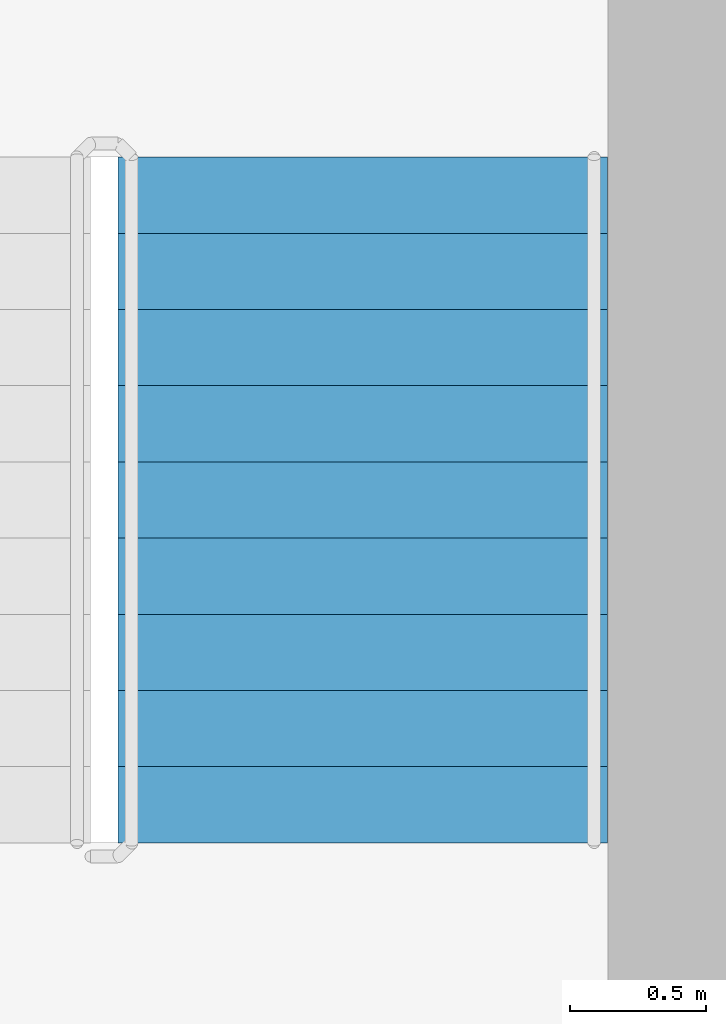
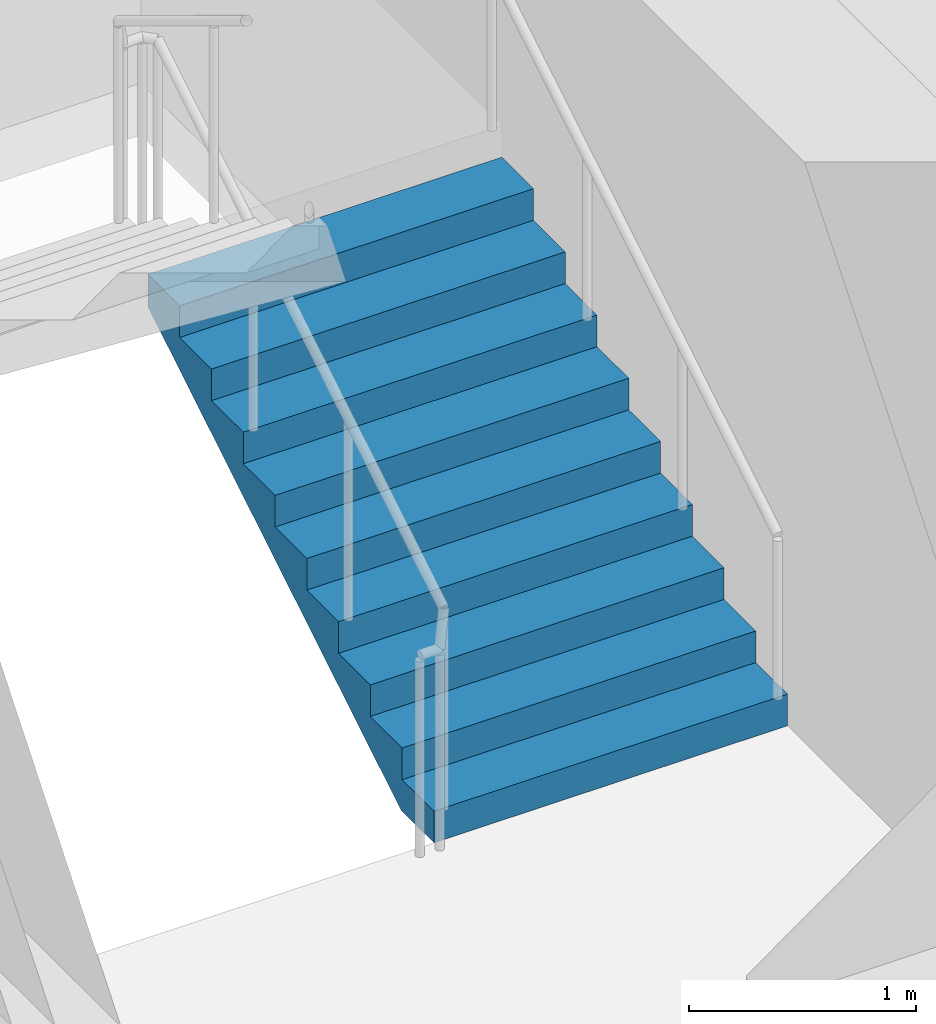
# One storey, part 12 of 21: 1 stair flight, 1 element without a shape of its own.
"""IFC4 building model written with IfcOpenShell, lengths in metres."""

from ifc_helpers import new_model, si_unit, direction, frame, origin, place, context, subcontext, project, spatial, triangles, source, transform, mapped, material, type_object, element, aggregate, save


model = new_model("IFC4")

# Units and contexts
model_context = context("Model", 3, precision=1e-05, world=origin(), true_north=direction((0.0, 1.0)))
body_context = subcontext(model_context, "Body", "Model", "MODEL_VIEW")
ifc_project = project(units=[si_unit("LENGTHUNIT", "METRE"), si_unit("AREAUNIT", "SQUARE_METRE"), si_unit("VOLUMEUNIT", "CUBIC_METRE"), si_unit("PLANEANGLEUNIT", "RADIAN"), si_unit("MASSUNIT", "GRAM", prefix="KILO")], contexts=[model_context])

# Site, building, storey
site_placement = place(None, origin())
site = spatial("IfcSite", under=ifc_project, at=site_placement, CompositionType="ELEMENT")
building_placement = place(site_placement, origin())
building = spatial("IfcBuilding", under=site, at=building_placement, Name="Kilnfold Tower and Market Hall", CompositionType="ELEMENT")
storey_placement = place(building_placement, frame((0.0, 0.0, 216.89990234375)))
storey = spatial("IfcBuildingStorey", under=building, at=storey_placement, Name="L53", CompositionType="ELEMENT", Elevation=216.89990234375)

# Stair, stair flight
ifc_material_1 = material(Name="Concrete C40/50", Category="concrete")
stair_type = type_object("IfcStairType", Name="CORE STAIR 1800", PredefinedType="HALF_TURN_STAIR", material=ifc_material_1)
stair_placement = place(storey_placement, origin())
stair = element("IfcStair", 1, at=stair_placement, inside=storey, type_object=stair_type, Name="L53 ST2", PredefinedType="HALF_TURN_STAIR")
ifc_material_2 = material(Name="Concrete C40/50", Category="concrete")
stair_flight_type = type_object("IfcStairFlightType", Name="CORE STAIR FLIGHT 1800", PredefinedType="STRAIGHT", material=ifc_material_2)
shared_shape = source(origin(), body_context, "Body", "Tessellation", [
    triangles([(0.0, 0.89990234375, 0.0), (0.0, 0.78759765625, 0.0), (0.0, 0.675048828125, 0.0), (0.0, 0.5625, 0.0), (0.0, 0.449951171875, 0.0), (0.0, 0.33740234375, 0.0), (0.0, 0.22509765625, 0.0), (0.0, 0.112548828125, 0.0), (0.0, 0.0, 0.0), (0.0, -0.112548828125, 0.0), (0.0, -0.22509765625, 0.0), (0.0, -0.33740234375, 0.0), (0.0, -0.449951171875, 0.0), (0.0, -0.5625, 0.0), (0.0, -0.675048828125, 0.0), (0.0, -0.78759765625, 0.0), (0.0, -0.89990234375, 0.0), (0.0, 0.89990234375, 0.169921875), (0.0, 0.78759765625, 0.169921875), (0.0, 0.675048828125, 0.169921875), (0.0, 0.5625, 0.169921875), (0.0, 0.449951171875, 0.169921875), (0.0, 0.33740234375, 0.169921875), (0.0, 0.22509765625, 0.169921875), (0.0, 0.112548828125, 0.169921875), (0.0, 0.0, 0.169921875), (0.0, -0.112548828125, 0.169921875), (0.0, -0.22509765625, 0.169921875), (0.0, -0.33740234375, 0.169921875), (0.0, -0.449951171875, 0.169921875), (0.0, -0.5625, 0.169921875), (0.0, -0.675048828125, 0.169921875), (0.0, -0.78759765625, 0.169921875), (0.0, -0.89990234375, 0.169921875), (0.280029296875, 0.89990234375, 0.169921875), (0.280029296875, 0.78759765625, 0.169921875), (0.280029296875, 0.675048828125, 0.169921875), (0.280029296875, 0.5625, 0.169921875), (0.280029296875, 0.449951171875, 0.169921875), (0.280029296875, 0.33740234375, 0.169921875), (0.280029296875, 0.22509765625, 0.169921875), (0.280029296875, 0.112548828125, 0.169921875), (0.280029296875, 0.0, 0.169921875), (0.280029296875, -0.112548828125, 0.169921875), (0.280029296875, -0.22509765625, 0.169921875), (0.280029296875, -0.33740234375, 0.169921875), (0.280029296875, -0.449951171875, 0.169921875), (0.280029296875, -0.5625, 0.169921875), (0.280029296875, -0.675048828125, 0.169921875), (0.280029296875, -0.78759765625, 0.169921875), (0.280029296875, -0.89990234375, 0.169921875), (0.280029296875, 0.89990234375, 0.340087890625), (0.280029296875, 0.78759765625, 0.340087890625), (0.280029296875, 0.675048828125, 0.340087890625), (0.280029296875, 0.5625, 0.340087890625), (0.280029296875, 0.449951171875, 0.340087890625), (0.280029296875, 0.33740234375, 0.340087890625), (0.280029296875, 0.22509765625, 0.340087890625), (0.280029296875, 0.112548828125, 0.340087890625), (0.280029296875, 0.0, 0.340087890625), (0.280029296875, -0.112548828125, 0.340087890625), (0.280029296875, -0.22509765625, 0.340087890625), (0.280029296875, -0.33740234375, 0.340087890625), (0.280029296875, -0.449951171875, 0.340087890625), (0.280029296875, -0.5625, 0.340087890625), (0.280029296875, -0.675048828125, 0.340087890625), (0.280029296875, -0.78759765625, 0.340087890625), (0.280029296875, -0.89990234375, 0.340087890625), (0.56005859375, 0.89990234375, 0.340087890625), (0.56005859375, 0.78759765625, 0.340087890625), (0.56005859375, 0.675048828125, 0.340087890625), (0.56005859375, 0.5625, 0.340087890625), (0.56005859375, 0.449951171875, 0.340087890625), (0.56005859375, 0.33740234375, 0.340087890625), (0.56005859375, 0.22509765625, 0.340087890625), (0.56005859375, 0.112548828125, 0.340087890625), (0.56005859375, 0.0, 0.340087890625), (0.56005859375, -0.112548828125, 0.340087890625), (0.56005859375, -0.22509765625, 0.340087890625), (0.56005859375, -0.33740234375, 0.340087890625), (0.56005859375, -0.449951171875, 0.340087890625), (0.56005859375, -0.5625, 0.340087890625), (0.56005859375, -0.675048828125, 0.340087890625), (0.56005859375, -0.78759765625, 0.340087890625), (0.56005859375, -0.89990234375, 0.340087890625), (0.56005859375, 0.89990234375, 0.510009765625), (0.56005859375, 0.78759765625, 0.510009765625), (0.56005859375, 0.675048828125, 0.510009765625), (0.56005859375, 0.5625, 0.510009765625), (0.56005859375, 0.449951171875, 0.510009765625), (0.56005859375, 0.33740234375, 0.510009765625), (0.56005859375, 0.22509765625, 0.510009765625), (0.56005859375, 0.112548828125, 0.510009765625), (0.56005859375, 0.0, 0.510009765625), (0.56005859375, -0.112548828125, 0.510009765625), (0.56005859375, -0.22509765625, 0.510009765625), (0.56005859375, -0.33740234375, 0.510009765625), (0.56005859375, -0.449951171875, 0.510009765625), (0.56005859375, -0.5625, 0.510009765625), (0.56005859375, -0.675048828125, 0.510009765625), (0.56005859375, -0.78759765625, 0.510009765625), (0.56005859375, -0.89990234375, 0.510009765625), (0.840087890625, 0.89990234375, 0.510009765625), (0.840087890625, 0.78759765625, 0.510009765625), (0.840087890625, 0.675048828125, 0.510009765625), (0.840087890625, 0.5625, 0.510009765625), (0.840087890625, 0.449951171875, 0.510009765625), (0.840087890625, 0.33740234375, 0.510009765625), (0.840087890625, 0.22509765625, 0.510009765625), (0.840087890625, 0.112548828125, 0.510009765625), (0.840087890625, 0.0, 0.510009765625), (0.840087890625, -0.112548828125, 0.510009765625), (0.840087890625, -0.22509765625, 0.510009765625), (0.840087890625, -0.33740234375, 0.510009765625), (0.840087890625, -0.449951171875, 0.510009765625), (0.840087890625, -0.5625, 0.510009765625), (0.840087890625, -0.675048828125, 0.510009765625), (0.840087890625, -0.78759765625, 0.510009765625), (0.840087890625, -0.89990234375, 0.510009765625), (0.840087890625, 0.89990234375, 0.679931640625), (0.840087890625, 0.78759765625, 0.679931640625), (0.840087890625, 0.675048828125, 0.679931640625), (0.840087890625, 0.5625, 0.679931640625), (0.840087890625, 0.449951171875, 0.679931640625), (0.840087890625, 0.33740234375, 0.679931640625), (0.840087890625, 0.22509765625, 0.679931640625), (0.840087890625, 0.112548828125, 0.679931640625), (0.840087890625, 0.0, 0.679931640625), (0.840087890625, -0.112548828125, 0.679931640625), (0.840087890625, -0.22509765625, 0.679931640625), (0.840087890625, -0.33740234375, 0.679931640625), (0.840087890625, -0.449951171875, 0.679931640625), (0.840087890625, -0.5625, 0.679931640625), (0.840087890625, -0.675048828125, 0.679931640625), (0.840087890625, -0.78759765625, 0.679931640625), (0.840087890625, -0.89990234375, 0.679931640625), (1.1201171875, 0.89990234375, 0.679931640625), (1.1201171875, 0.78759765625, 0.679931640625), (1.1201171875, 0.675048828125, 0.679931640625), (1.1201171875, 0.5625, 0.679931640625), (1.1201171875, 0.449951171875, 0.679931640625), (1.1201171875, 0.33740234375, 0.679931640625), (1.1201171875, 0.22509765625, 0.679931640625), (1.1201171875, 0.112548828125, 0.679931640625), (1.1201171875, 0.0, 0.679931640625), (1.1201171875, -0.112548828125, 0.679931640625), (1.1201171875, -0.22509765625, 0.679931640625), (1.1201171875, -0.33740234375, 0.679931640625), (1.1201171875, -0.449951171875, 0.679931640625), (1.1201171875, -0.5625, 0.679931640625), (1.1201171875, -0.675048828125, 0.679931640625), (1.1201171875, -0.78759765625, 0.679931640625), (1.1201171875, -0.89990234375, 0.679931640625), (1.1201171875, 0.89990234375, 0.85009765625), (1.1201171875, 0.78759765625, 0.85009765625), (1.1201171875, 0.675048828125, 0.85009765625), (1.1201171875, 0.5625, 0.85009765625), (1.1201171875, 0.449951171875, 0.85009765625), (1.1201171875, 0.33740234375, 0.85009765625), (1.1201171875, 0.22509765625, 0.85009765625), (1.1201171875, 0.112548828125, 0.85009765625), (1.1201171875, 0.0, 0.85009765625), (1.1201171875, -0.112548828125, 0.85009765625), (1.1201171875, -0.22509765625, 0.85009765625), (1.1201171875, -0.33740234375, 0.85009765625), (1.1201171875, -0.449951171875, 0.85009765625), (1.1201171875, -0.5625, 0.85009765625), (1.1201171875, -0.675048828125, 0.85009765625), (1.1201171875, -0.78759765625, 0.85009765625), (1.1201171875, -0.89990234375, 0.85009765625), (1.39990234375, 0.89990234375, 0.85009765625), (1.39990234375, 0.78759765625, 0.85009765625), (1.39990234375, 0.675048828125, 0.85009765625), (1.39990234375, 0.5625, 0.85009765625), (1.39990234375, 0.449951171875, 0.85009765625), (1.39990234375, 0.33740234375, 0.85009765625), (1.39990234375, 0.22509765625, 0.85009765625), (1.39990234375, 0.112548828125, 0.85009765625), (1.39990234375, 0.0, 0.85009765625), (1.39990234375, -0.112548828125, 0.85009765625), (1.39990234375, -0.22509765625, 0.85009765625), (1.39990234375, -0.33740234375, 0.85009765625), (1.39990234375, -0.449951171875, 0.85009765625), (1.39990234375, -0.5625, 0.85009765625), (1.39990234375, -0.675048828125, 0.85009765625), (1.39990234375, -0.78759765625, 0.85009765625), (1.39990234375, -0.89990234375, 0.85009765625), (1.39990234375, 0.89990234375, 1.02001953125), (1.39990234375, 0.78759765625, 1.02001953125), (1.39990234375, 0.675048828125, 1.02001953125), (1.39990234375, 0.5625, 1.02001953125), (1.39990234375, 0.449951171875, 1.02001953125), (1.39990234375, 0.33740234375, 1.02001953125), (1.39990234375, 0.22509765625, 1.02001953125), (1.39990234375, 0.112548828125, 1.02001953125), (1.39990234375, 0.0, 1.02001953125), (1.39990234375, -0.112548828125, 1.02001953125), (1.39990234375, -0.22509765625, 1.02001953125), (1.39990234375, -0.33740234375, 1.02001953125), (1.39990234375, -0.449951171875, 1.02001953125), (1.39990234375, -0.5625, 1.02001953125), (1.39990234375, -0.675048828125, 1.02001953125), (1.39990234375, -0.78759765625, 1.02001953125), (1.39990234375, -0.89990234375, 1.02001953125), (1.679931640625, 0.89990234375, 1.02001953125), (1.679931640625, 0.78759765625, 1.02001953125), (1.679931640625, 0.675048828125, 1.02001953125), (1.679931640625, 0.5625, 1.02001953125), (1.679931640625, 0.449951171875, 1.02001953125), (1.679931640625, 0.33740234375, 1.02001953125), (1.679931640625, 0.22509765625, 1.02001953125), (1.679931640625, 0.112548828125, 1.02001953125), (1.679931640625, 0.0, 1.02001953125), (1.679931640625, -0.112548828125, 1.02001953125), (1.679931640625, -0.22509765625, 1.02001953125), (1.679931640625, -0.33740234375, 1.02001953125), (1.679931640625, -0.449951171875, 1.02001953125), (1.679931640625, -0.5625, 1.02001953125), (1.679931640625, -0.675048828125, 1.02001953125), (1.679931640625, -0.78759765625, 1.02001953125), (1.679931640625, -0.89990234375, 1.02001953125), (1.679931640625, 0.89990234375, 1.18994140625), (1.679931640625, 0.78759765625, 1.18994140625), (1.679931640625, 0.675048828125, 1.18994140625), (1.679931640625, 0.5625, 1.18994140625), (1.679931640625, 0.449951171875, 1.18994140625), (1.679931640625, 0.33740234375, 1.18994140625), (1.679931640625, 0.22509765625, 1.18994140625), (1.679931640625, 0.112548828125, 1.18994140625), (1.679931640625, 0.0, 1.18994140625), (1.679931640625, -0.112548828125, 1.18994140625), (1.679931640625, -0.22509765625, 1.18994140625), (1.679931640625, -0.33740234375, 1.18994140625), (1.679931640625, -0.449951171875, 1.18994140625), (1.679931640625, -0.5625, 1.18994140625), (1.679931640625, -0.675048828125, 1.18994140625), (1.679931640625, -0.78759765625, 1.18994140625), (1.679931640625, -0.89990234375, 1.18994140625), (1.9599609375, 0.89990234375, 1.18994140625), (1.9599609375, 0.78759765625, 1.18994140625), (1.9599609375, 0.675048828125, 1.18994140625), (1.9599609375, 0.5625, 1.18994140625), (1.9599609375, 0.449951171875, 1.18994140625), (1.9599609375, 0.33740234375, 1.18994140625), (1.9599609375, 0.22509765625, 1.18994140625), (1.9599609375, 0.112548828125, 1.18994140625), (1.9599609375, 0.0, 1.18994140625), (1.9599609375, -0.112548828125, 1.18994140625), (1.9599609375, -0.22509765625, 1.18994140625), (1.9599609375, -0.33740234375, 1.18994140625), (1.9599609375, -0.449951171875, 1.18994140625), (1.9599609375, -0.5625, 1.18994140625), (1.9599609375, -0.675048828125, 1.18994140625), (1.9599609375, -0.78759765625, 1.18994140625), (1.9599609375, -0.89990234375, 1.18994140625), (1.9599609375, 0.89990234375, 1.360107421875), (1.9599609375, 0.78759765625, 1.360107421875), (1.9599609375, 0.675048828125, 1.360107421875), (1.9599609375, 0.5625, 1.360107421875), (1.9599609375, 0.449951171875, 1.360107421875), (1.9599609375, 0.33740234375, 1.360107421875), (1.9599609375, 0.22509765625, 1.360107421875), (1.9599609375, 0.112548828125, 1.360107421875), (1.9599609375, 0.0, 1.360107421875), (1.9599609375, -0.112548828125, 1.360107421875), (1.9599609375, -0.22509765625, 1.360107421875), (1.9599609375, -0.33740234375, 1.360107421875), (1.9599609375, -0.449951171875, 1.360107421875), (1.9599609375, -0.5625, 1.360107421875), (1.9599609375, -0.675048828125, 1.360107421875), (1.9599609375, -0.78759765625, 1.360107421875), (1.9599609375, -0.89990234375, 1.360107421875), (2.239990234375, 0.89990234375, 1.360107421875), (2.239990234375, 0.78759765625, 1.360107421875), (2.239990234375, 0.675048828125, 1.360107421875), (2.239990234375, 0.5625, 1.360107421875), (2.239990234375, 0.449951171875, 1.360107421875), (2.239990234375, 0.33740234375, 1.360107421875), (2.239990234375, 0.22509765625, 1.360107421875), (2.239990234375, 0.112548828125, 1.360107421875), (2.239990234375, 0.0, 1.360107421875), (2.239990234375, -0.112548828125, 1.360107421875), (2.239990234375, -0.22509765625, 1.360107421875), (2.239990234375, -0.33740234375, 1.360107421875), (2.239990234375, -0.449951171875, 1.360107421875), (2.239990234375, -0.5625, 1.360107421875), (2.239990234375, -0.675048828125, 1.360107421875), (2.239990234375, -0.78759765625, 1.360107421875), (2.239990234375, -0.89990234375, 1.360107421875), (2.239990234375, 0.89990234375, 1.530029296875), (2.239990234375, 0.78759765625, 1.530029296875), (2.239990234375, 0.675048828125, 1.530029296875), (2.239990234375, 0.5625, 1.530029296875), (2.239990234375, 0.449951171875, 1.530029296875), (2.239990234375, 0.33740234375, 1.530029296875), (2.239990234375, 0.22509765625, 1.530029296875), (2.239990234375, 0.112548828125, 1.530029296875), (2.239990234375, 0.0, 1.530029296875), (2.239990234375, -0.112548828125, 1.530029296875), (2.239990234375, -0.22509765625, 1.530029296875), (2.239990234375, -0.33740234375, 1.530029296875), (2.239990234375, -0.449951171875, 1.530029296875), (2.239990234375, -0.5625, 1.530029296875), (2.239990234375, -0.675048828125, 1.530029296875), (2.239990234375, -0.78759765625, 1.530029296875), (2.239990234375, -0.89990234375, 1.530029296875), (2.52001953125, 0.89990234375, 1.530029296875), (2.52001953125, 0.78759765625, 1.530029296875), (2.52001953125, 0.675048828125, 1.530029296875), (2.52001953125, 0.5625, 1.530029296875), (2.52001953125, 0.449951171875, 1.530029296875), (2.52001953125, 0.33740234375, 1.530029296875), (2.52001953125, 0.22509765625, 1.530029296875), (2.52001953125, 0.112548828125, 1.530029296875), (2.52001953125, 0.0, 1.530029296875), (2.52001953125, -0.112548828125, 1.530029296875), (2.52001953125, -0.22509765625, 1.530029296875), (2.52001953125, -0.33740234375, 1.530029296875), (2.52001953125, -0.449951171875, 1.530029296875), (2.52001953125, -0.5625, 1.530029296875), (2.52001953125, -0.675048828125, 1.530029296875), (2.52001953125, -0.78759765625, 1.530029296875), (2.52001953125, -0.89990234375, 1.530029296875), (2.52001953125, 0.89990234375, 1.354736328125), (2.52001953125, 0.78759765625, 1.354736328125), (2.52001953125, 0.675048828125, 1.354736328125), (2.52001953125, 0.5625, 1.354736328125), (2.52001953125, 0.449951171875, 1.354736328125), (2.52001953125, 0.33740234375, 1.354736328125), (2.52001953125, 0.22509765625, 1.354736328125), (2.52001953125, 0.112548828125, 1.354736328125), (2.52001953125, 0.0, 1.354736328125), (2.52001953125, -0.112548828125, 1.354736328125), (2.52001953125, -0.22509765625, 1.354736328125), (2.52001953125, -0.33740234375, 1.354736328125), (2.52001953125, -0.449951171875, 1.354736328125), (2.52001953125, -0.5625, 1.354736328125), (2.52001953125, -0.675048828125, 1.354736328125), (2.52001953125, -0.78759765625, 1.354736328125), (2.52001953125, -0.89990234375, 1.354736328125), (0.288818359375, 0.89990234375, 0.0), (0.288818359375, 0.78759765625, 0.0), (0.288818359375, 0.675048828125, 0.0), (0.288818359375, 0.5625, 0.0), (0.288818359375, 0.449951171875, 0.0), (0.288818359375, 0.33740234375, 0.0), (0.288818359375, 0.22509765625, 0.0), (0.288818359375, 0.112548828125, 0.0), (0.288818359375, 0.0, 0.0), (0.288818359375, -0.112548828125, 0.0), (0.288818359375, -0.22509765625, 0.0), (0.288818359375, -0.33740234375, 0.0), (0.288818359375, -0.449951171875, 0.0), (0.288818359375, -0.5625, 0.0), (0.288818359375, -0.675048828125, 0.0), (0.288818359375, -0.78759765625, 0.0), (0.288818359375, -0.89990234375, 0.0)], [[1, 324, 341], [17, 357, 340], [324, 290, 307], [340, 323, 306], [324, 273, 290], [340, 306, 289], [324, 256, 273], [340, 289, 272], [324, 239, 256], [340, 272, 255], [239, 205, 222], [255, 238, 221], [324, 205, 239], [340, 255, 221], [205, 171, 188], [221, 204, 187], [324, 171, 205], [340, 221, 187], [171, 137, 154], [187, 170, 153], [324, 137, 171], [340, 187, 153], [137, 103, 120], [153, 136, 119], [324, 103, 137], [340, 153, 119], [103, 69, 86], [119, 102, 85], [324, 69, 103], [340, 119, 85], [69, 35, 52], [85, 68, 51], [324, 35, 69], [340, 85, 51], [1, 35, 324], [17, 340, 51], [35, 1, 18], [51, 34, 17], [1, 19, 18], [1, 2, 19], [2, 20, 19], [2, 3, 20], [3, 21, 20], [3, 4, 21], [4, 22, 21], [4, 5, 22], [5, 23, 22], [5, 6, 23], [6, 24, 23], [6, 7, 24], [7, 25, 24], [7, 8, 25], [8, 26, 25], [8, 9, 26], [9, 27, 26], [9, 10, 27], [10, 28, 27], [10, 11, 28], [11, 29, 28], [11, 12, 29], [12, 30, 29], [12, 13, 30], [13, 31, 30], [13, 14, 31], [14, 32, 31], [14, 15, 32], [15, 33, 32], [15, 16, 33], [16, 34, 33], [16, 17, 34], [18, 36, 35], [18, 19, 36], [19, 37, 36], [19, 20, 37], [20, 38, 37], [20, 21, 38], [21, 39, 38], [21, 22, 39], [22, 40, 39], [22, 23, 40], [23, 41, 40], [23, 24, 41], [24, 42, 41], [24, 25, 42], [25, 43, 42], [25, 26, 43], [26, 44, 43], [26, 27, 44], [27, 45, 44], [27, 28, 45], [28, 46, 45], [28, 29, 46], [29, 47, 46], [29, 30, 47], [30, 48, 47], [30, 31, 48], [31, 49, 48], [31, 32, 49], [32, 50, 49], [32, 33, 50], [33, 51, 50], [33, 34, 51], [35, 53, 52], [35, 36, 53], [36, 54, 53], [36, 37, 54], [37, 55, 54], [37, 38, 55], [38, 56, 55], [38, 39, 56], [39, 57, 56], [39, 40, 57], [40, 58, 57], [40, 41, 58], [41, 59, 58], [41, 42, 59], [42, 60, 59], [42, 43, 60], [43, 61, 60], [43, 44, 61], [44, 62, 61], [44, 45, 62], [45, 63, 62], [45, 46, 63], [46, 64, 63], [46, 47, 64], [47, 65, 64], [47, 48, 65], [48, 66, 65], [48, 49, 66], [49, 67, 66], [49, 50, 67], [50, 68, 67], [50, 51, 68], [52, 70, 69], [52, 53, 70], [53, 71, 70], [53, 54, 71], [54, 72, 71], [54, 55, 72], [55, 73, 72], [55, 56, 73], [56, 74, 73], [56, 57, 74], [57, 75, 74], [57, 58, 75], [58, 76, 75], [58, 59, 76], [59, 77, 76], [59, 60, 77], [60, 78, 77], [60, 61, 78], [61, 79, 78], [61, 62, 79], [62, 80, 79], [62, 63, 80], [63, 81, 80], [63, 64, 81], [64, 82, 81], [64, 65, 82], [65, 83, 82], [65, 66, 83], [66, 84, 83], [66, 67, 84], [67, 85, 84], [67, 68, 85], [69, 87, 86], [69, 70, 87], [70, 88, 87], [70, 71, 88], [71, 89, 88], [71, 72, 89], [72, 90, 89], [72, 73, 90], [73, 91, 90], [73, 74, 91], [74, 92, 91], [74, 75, 92], [75, 93, 92], [75, 76, 93], [76, 94, 93], [76, 77, 94], [77, 95, 94], [77, 78, 95], [78, 96, 95], [78, 79, 96], [79, 97, 96], [79, 80, 97], [80, 98, 97], [80, 81, 98], [81, 99, 98], [81, 82, 99], [82, 100, 99], [82, 83, 100], [83, 101, 100], [83, 84, 101], [84, 102, 101], [84, 85, 102], [86, 104, 103], [86, 87, 104], [87, 105, 104], [87, 88, 105], [88, 106, 105], [88, 89, 106], [89, 107, 106], [89, 90, 107], [90, 108, 107], [90, 91, 108], [91, 109, 108], [91, 92, 109], [92, 110, 109], [92, 93, 110], [93, 111, 110], [93, 94, 111], [94, 112, 111], [94, 95, 112], [95, 113, 112], [95, 96, 113], [96, 114, 113], [96, 97, 114], [97, 115, 114], [97, 98, 115], [98, 116, 115], [98, 99, 116], [99, 117, 116], [99, 100, 117], [100, 118, 117], [100, 101, 118], [101, 119, 118], [101, 102, 119], [103, 121, 120], [103, 104, 121], [104, 122, 121], [104, 105, 122], [105, 123, 122], [105, 106, 123], [106, 124, 123], [106, 107, 124], [107, 125, 124], [107, 108, 125], [108, 126, 125], [108, 109, 126], [109, 127, 126], [109, 110, 127], [110, 128, 127], [110, 111, 128], [111, 129, 128], [111, 112, 129], [112, 130, 129], [112, 113, 130], [113, 131, 130], [113, 114, 131], [114, 132, 131], [114, 115, 132], [115, 133, 132], [115, 116, 133], [116, 134, 133], [116, 117, 134], [117, 135, 134], [117, 118, 135], [118, 136, 135], [118, 119, 136], [120, 138, 137], [120, 121, 138], [121, 139, 138], [121, 122, 139], [122, 140, 139], [122, 123, 140], [123, 141, 140], [123, 124, 141], [124, 142, 141], [124, 125, 142], [125, 143, 142], [125, 126, 143], [126, 144, 143], [126, 127, 144], [127, 145, 144], [127, 128, 145], [128, 146, 145], [128, 129, 146], [129, 147, 146], [129, 130, 147], [130, 148, 147], [130, 131, 148], [131, 149, 148], [131, 132, 149], [132, 150, 149], [132, 133, 150], [133, 151, 150], [133, 134, 151], [134, 152, 151], [134, 135, 152], [135, 153, 152], [135, 136, 153], [137, 155, 154], [137, 138, 155], [138, 156, 155], [138, 139, 156], [139, 157, 156], [139, 140, 157], [140, 158, 157], [140, 141, 158], [141, 159, 158], [141, 142, 159], [142, 160, 159], [142, 143, 160], [143, 161, 160], [143, 144, 161], [144, 162, 161], [144, 145, 162], [145, 163, 162], [145, 146, 163], [146, 164, 163], [146, 147, 164], [147, 165, 164], [147, 148, 165], [148, 166, 165], [148, 149, 166], [149, 167, 166], [149, 150, 167], [150, 168, 167], [150, 151, 168], [151, 169, 168], [151, 152, 169], [152, 170, 169], [152, 153, 170], [154, 172, 171], [154, 155, 172], [155, 173, 172], [155, 156, 173], [156, 174, 173], [156, 157, 174], [157, 175, 174], [157, 158, 175], [158, 176, 175], [158, 159, 176], [159, 177, 176], [159, 160, 177], [160, 178, 177], [160, 161, 178], [161, 179, 178], [161, 162, 179], [162, 180, 179], [162, 163, 180], [163, 181, 180], [163, 164, 181], [164, 182, 181], [164, 165, 182], [165, 183, 182], [165, 166, 183], [166, 184, 183], [166, 167, 184], [167, 185, 184], [167, 168, 185], [168, 186, 185], [168, 169, 186], [169, 187, 186], [169, 170, 187], [171, 189, 188], [171, 172, 189], [172, 190, 189], [172, 173, 190], [173, 191, 190], [173, 174, 191], [174, 192, 191], [174, 175, 192], [175, 193, 192], [175, 176, 193], [176, 194, 193], [176, 177, 194], [177, 195, 194], [177, 178, 195], [178, 196, 195], [178, 179, 196], [179, 197, 196], [179, 180, 197], [180, 198, 197], [180, 181, 198], [181, 199, 198], [181, 182, 199], [182, 200, 199], [182, 183, 200], [183, 201, 200], [183, 184, 201], [184, 202, 201], [184, 185, 202], [185, 203, 202], [185, 186, 203], [186, 204, 203], [186, 187, 204], [188, 206, 205], [188, 189, 206], [189, 207, 206], [189, 190, 207], [190, 208, 207], [190, 191, 208], [191, 209, 208], [191, 192, 209], [192, 210, 209], [192, 193, 210], [193, 211, 210], [193, 194, 211], [194, 212, 211], [194, 195, 212], [195, 213, 212], [195, 196, 213], [196, 214, 213], [196, 197, 214], [197, 215, 214], [197, 198, 215], [198, 216, 215], [198, 199, 216], [199, 217, 216], [199, 200, 217], [200, 218, 217], [200, 201, 218], [201, 219, 218], [201, 202, 219], [202, 220, 219], [202, 203, 220], [203, 221, 220], [203, 204, 221], [205, 223, 222], [205, 206, 223], [206, 224, 223], [206, 207, 224], [207, 225, 224], [207, 208, 225], [208, 226, 225], [208, 209, 226], [209, 227, 226], [209, 210, 227], [210, 228, 227], [210, 211, 228], [211, 229, 228], [211, 212, 229], [212, 230, 229], [212, 213, 230], [213, 231, 230], [213, 214, 231], [214, 232, 231], [214, 215, 232], [215, 233, 232], [215, 216, 233], [216, 234, 233], [216, 217, 234], [217, 235, 234], [217, 218, 235], [218, 236, 235], [218, 219, 236], [219, 237, 236], [219, 220, 237], [220, 238, 237], [220, 221, 238], [222, 240, 239], [222, 223, 240], [223, 241, 240], [223, 224, 241], [224, 242, 241], [224, 225, 242], [225, 243, 242], [225, 226, 243], [226, 244, 243], [226, 227, 244], [227, 245, 244], [227, 228, 245], [228, 246, 245], [228, 229, 246], [229, 247, 246], [229, 230, 247], [230, 248, 247], [230, 231, 248], [231, 249, 248], [231, 232, 249], [232, 250, 249], [232, 233, 250], [233, 251, 250], [233, 234, 251], [234, 252, 251], [234, 235, 252], [235, 253, 252], [235, 236, 253], [236, 254, 253], [236, 237, 254], [237, 255, 254], [237, 238, 255], [239, 257, 256], [239, 240, 257], [240, 258, 257], [240, 241, 258], [241, 259, 258], [241, 242, 259], [242, 260, 259], [242, 243, 260], [243, 261, 260], [243, 244, 261], [244, 262, 261], [244, 245, 262], [245, 263, 262], [245, 246, 263], [246, 264, 263], [246, 247, 264], [247, 265, 264], [247, 248, 265], [248, 266, 265], [248, 249, 266], [249, 267, 266], [249, 250, 267], [250, 268, 267], [250, 251, 268], [251, 269, 268], [251, 252, 269], [252, 270, 269], [252, 253, 270], [253, 271, 270], [253, 254, 271], [254, 272, 271], [254, 255, 272], [256, 274, 273], [256, 257, 274], [257, 275, 274], [257, 258, 275], [258, 276, 275], [258, 259, 276], [259, 277, 276], [259, 260, 277], [260, 278, 277], [260, 261, 278], [261, 279, 278], [261, 262, 279], [262, 280, 279], [262, 263, 280], [263, 281, 280], [263, 264, 281], [264, 282, 281], [264, 265, 282], [265, 283, 282], [265, 266, 283], [266, 284, 283], [266, 267, 284], [267, 285, 284], [267, 268, 285], [268, 286, 285], [268, 269, 286], [269, 287, 286], [269, 270, 287], [270, 288, 287], [270, 271, 288], [271, 289, 288], [271, 272, 289], [273, 291, 290], [273, 274, 291], [274, 292, 291], [274, 275, 292], [275, 293, 292], [275, 276, 293], [276, 294, 293], [276, 277, 294], [277, 295, 294], [277, 278, 295], [278, 296, 295], [278, 279, 296], [279, 297, 296], [279, 280, 297], [280, 298, 297], [280, 281, 298], [281, 299, 298], [281, 282, 299], [282, 300, 299], [282, 283, 300], [283, 301, 300], [283, 284, 301], [284, 302, 301], [284, 285, 302], [285, 303, 302], [285, 286, 303], [286, 304, 303], [286, 287, 304], [287, 305, 304], [287, 288, 305], [288, 306, 305], [288, 289, 306], [290, 308, 307], [290, 291, 308], [291, 309, 308], [291, 292, 309], [292, 310, 309], [292, 293, 310], [293, 311, 310], [293, 294, 311], [294, 312, 311], [294, 295, 312], [295, 313, 312], [295, 296, 313], [296, 314, 313], [296, 297, 314], [297, 315, 314], [297, 298, 315], [298, 316, 315], [298, 299, 316], [299, 317, 316], [299, 300, 317], [300, 318, 317], [300, 301, 318], [301, 319, 318], [301, 302, 319], [302, 320, 319], [302, 303, 320], [303, 321, 320], [303, 304, 321], [304, 322, 321], [304, 305, 322], [305, 323, 322], [305, 306, 323], [307, 325, 324], [307, 308, 325], [308, 326, 325], [308, 309, 326], [309, 327, 326], [309, 310, 327], [310, 328, 327], [310, 311, 328], [311, 329, 328], [311, 312, 329], [312, 330, 329], [312, 313, 330], [313, 331, 330], [313, 314, 331], [314, 332, 331], [314, 315, 332], [315, 333, 332], [315, 316, 333], [316, 334, 333], [316, 317, 334], [317, 335, 334], [317, 318, 335], [318, 336, 335], [318, 319, 336], [319, 337, 336], [319, 320, 337], [320, 338, 337], [320, 321, 338], [321, 339, 338], [321, 322, 339], [322, 340, 339], [322, 323, 340], [324, 342, 341], [324, 325, 342], [325, 343, 342], [325, 326, 343], [326, 344, 343], [326, 327, 344], [327, 345, 344], [327, 328, 345], [328, 346, 345], [328, 329, 346], [329, 347, 346], [329, 330, 347], [330, 348, 347], [330, 331, 348], [331, 349, 348], [331, 332, 349], [332, 350, 349], [332, 333, 350], [333, 351, 350], [333, 334, 351], [334, 352, 351], [334, 335, 352], [335, 353, 352], [335, 336, 353], [336, 354, 353], [336, 337, 354], [337, 355, 354], [337, 338, 355], [338, 356, 355], [338, 339, 356], [339, 357, 356], [339, 340, 357], [341, 2, 1], [341, 342, 2], [342, 3, 2], [342, 343, 3], [343, 4, 3], [343, 344, 4], [344, 5, 4], [344, 345, 5], [345, 6, 5], [345, 346, 6], [346, 7, 6], [346, 347, 7], [347, 8, 7], [347, 348, 8], [348, 9, 8], [348, 349, 9], [349, 10, 9], [349, 350, 10], [350, 11, 10], [350, 351, 11], [351, 12, 11], [351, 352, 12], [352, 13, 12], [352, 353, 13], [353, 14, 13], [353, 354, 14], [354, 15, 14], [354, 355, 15], [355, 16, 15], [355, 356, 16], [356, 17, 16], [356, 357, 17]], closed=True),
])
stair_flight_placement = place(storey_placement, frame((16.199951171875, 10.800048828125, 0.0), z_axis=(0.0, 0.0, 1.0), x_axis=(0.0, 1.0, 0.0)))
stair_flight = element("IfcStairFlight", 2, at=stair_flight_placement, type_object=stair_flight_type, Name="ST2 flight 1", NumberOfRisers=10, NumberOfTreads=9, PredefinedType="STRAIGHT", RiserHeight=0.17, TreadLength=0.28, context=body_context, shape_type="MappedRepresentation", body=[
    mapped(shared_shape, transform((0.0, 0.0, 0.0))),
])
aggregate(stair, [stair_flight])

save(model, "model.ifc")
